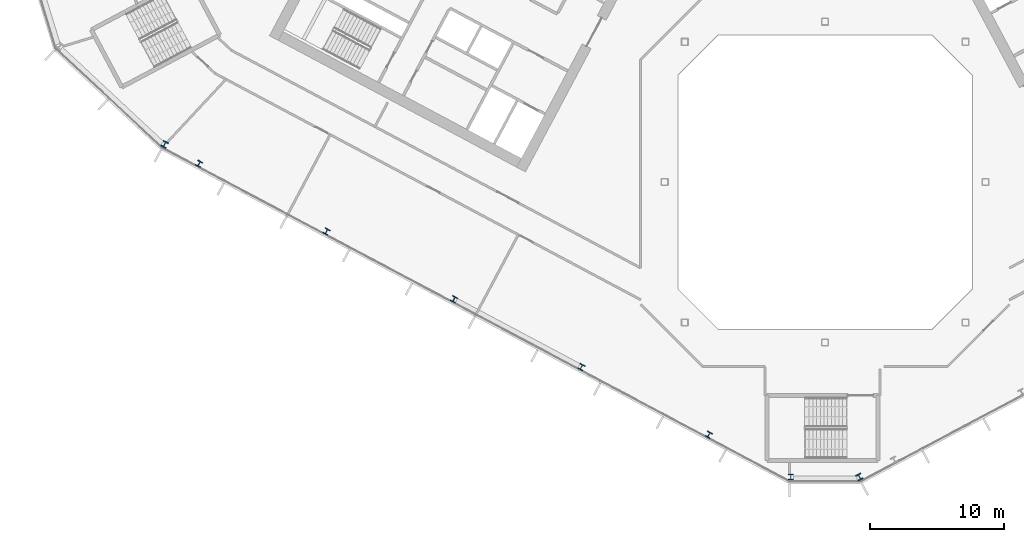
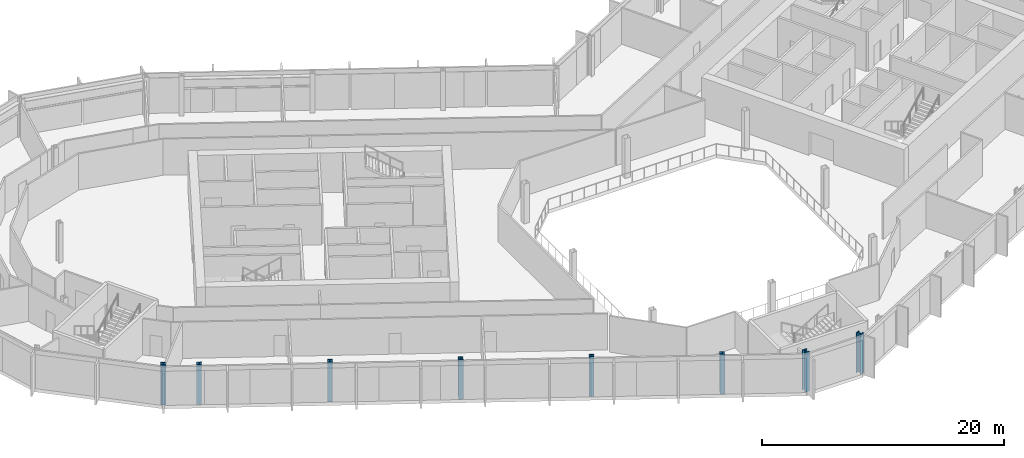
# One storey, part 1 of 28: 8 columns.
"""IFC4 building model written with IfcOpenShell, lengths in metres."""

from ifc_helpers import new_model, si_unit, direction, frame, origin, origin_2d, place, context, subcontext, project, spatial, i_section, extrude, material, material_profile, profile_set, type_object, element, save


model = new_model("IFC4")

# Units and contexts
model_context = context("Model", 3, precision=1e-05, world=origin(), true_north=direction((0.0, 1.0)))
body_context = subcontext(model_context, "Body", "Model", "MODEL_VIEW")
ifc_project = project(units=[si_unit("LENGTHUNIT", "METRE"), si_unit("AREAUNIT", "SQUARE_METRE"), si_unit("VOLUMEUNIT", "CUBIC_METRE"), si_unit("PLANEANGLEUNIT", "RADIAN"), si_unit("MASSUNIT", "GRAM", prefix="KILO")], contexts=[model_context])

# Site, building, storey
site_placement = place(None, origin())
site = spatial("IfcSite", under=ifc_project, at=site_placement, CompositionType="ELEMENT")
building_placement = place(site_placement, origin())
building = spatial("IfcBuilding", under=site, at=building_placement, Name="Cormorant Relay Tower", CompositionType="ELEMENT")
storey_placement = place(building_placement, frame((0.0, 0.0, 138.199951171875)))
storey = spatial("IfcBuildingStorey", under=building, at=storey_placement, Name="L28", CompositionType="ELEMENT", Elevation=138.199951171875)

# Columns
ifc_material_1 = material(Name="Steel ASTM A992 (Fy 345 MPa)", Category="steel")
ifc_material_profile_1 = material_profile(ifc_material_1, i_section(OverallWidth=0.41162109375, OverallDepth=0.434326171875, WebThickness=0.035888671875, FlangeThickness=0.057373046875, FilletRadius=0.01513671875, at=origin_2d()), Name="W360x463")
ifc_profile_set_1 = profile_set([ifc_material_profile_1], Name="Steel ASTM A992 (Fy 345 MPa)")
column_type_1 = type_object("IfcColumnType", Name="Column W360x463", PredefinedType="COLUMN", material=ifc_profile_set_1)
for number, where, z_axis, x_axis, name in (
    (1, (-8.696044921875, -18.910888671875, 0.0), (0.0, 0.0, 1.0), (0.882947592859, -0.469471562786, 0.0), "Column L28-004"),
    (2, (-18.23193359375, -13.841064453125, 0.0), (0.0, 0.0, 1.0), (0.882947592859, -0.469471562786, 0.0), "Column L28-006"),
    (3, (-27.76806640625, -8.77001953125, 0.0), (0.0, 0.0, 1.0), (0.882947592859, -0.469471562786, 0.0), "Column L28-011"),
    (4, (-37.303955078125, -3.699951171875, 0.0), (0.0, 0.0, 1.0), (0.882947592859, -0.469471562786, 0.0), "Column L28-013"),
    (5, (-46.839111328125, 1.3701171875, 0.0), (0.0, 0.0, 1.0), (0.882947592859, -0.469471562786, 0.0), "Column L28-018"),
):
    element("IfcColumn", number, at=place(storey_placement, frame(where, z_axis=z_axis, x_axis=x_axis)), inside=storey, type_object=column_type_1, Name=name, PredefinedType="COLUMN", context=body_context, shape_type="SweptSolid", body=[
        extrude(i_section(OverallWidth=0.41162109375, OverallDepth=0.434326171875, WebThickness=0.035888671875, FlangeThickness=0.057373046875, FilletRadius=0.01513671875, at=origin_2d()), origin(), (0.0, 0.0, 1.0), 4.0),
    ])
ifc_material_2 = material(Name="Steel ASTM A992 (Fy 345 MPa)", Category="steel")
ifc_material_profile_2 = material_profile(ifc_material_2, i_section(OverallWidth=0.42431640625, OverallDepth=0.47509765625, WebThickness=0.0478515625, FlangeThickness=0.0771484375, FilletRadius=0.014892578125, at=origin_2d()), Name="W360x634")
ifc_profile_set_2 = profile_set([ifc_material_profile_2], Name="Steel ASTM A992 (Fy 345 MPa)")
column_type_2 = type_object("IfcColumnType", Name="Column W360x634", PredefinedType="COLUMN", material=ifc_profile_set_2)
for number, where, z_axis, x_axis, name in (
    (6, (-2.571044921875, -22.06494140625, 0.0), (0.0, 0.0, 1.0), (1.0, 0.0, 0.0), "Column L28-001"),
    (7, (2.571044921875, -22.06494140625, 0.0), (0.0, 0.0, 1.0), (0.882947592859, 0.469471562786, 0.0), "Column L28-002"),
    (8, (-49.423095703125, 2.820068359375, 0.0), (0.0, 0.0, 1.0), (0.882947592859, -0.469471562786, 0.0), "Column L28-019"),
):
    element("IfcColumn", number, at=place(storey_placement, frame(where, z_axis=z_axis, x_axis=x_axis)), inside=storey, type_object=column_type_2, Name=name, PredefinedType="COLUMN", context=body_context, shape_type="SweptSolid", body=[
        extrude(i_section(OverallWidth=0.42431640625, OverallDepth=0.47509765625, WebThickness=0.0478515625, FlangeThickness=0.0771484375, FilletRadius=0.014892578125, at=origin_2d()), origin(), (0.0, 0.0, 1.0), 4.0),
    ])

save(model, "model.ifc")
